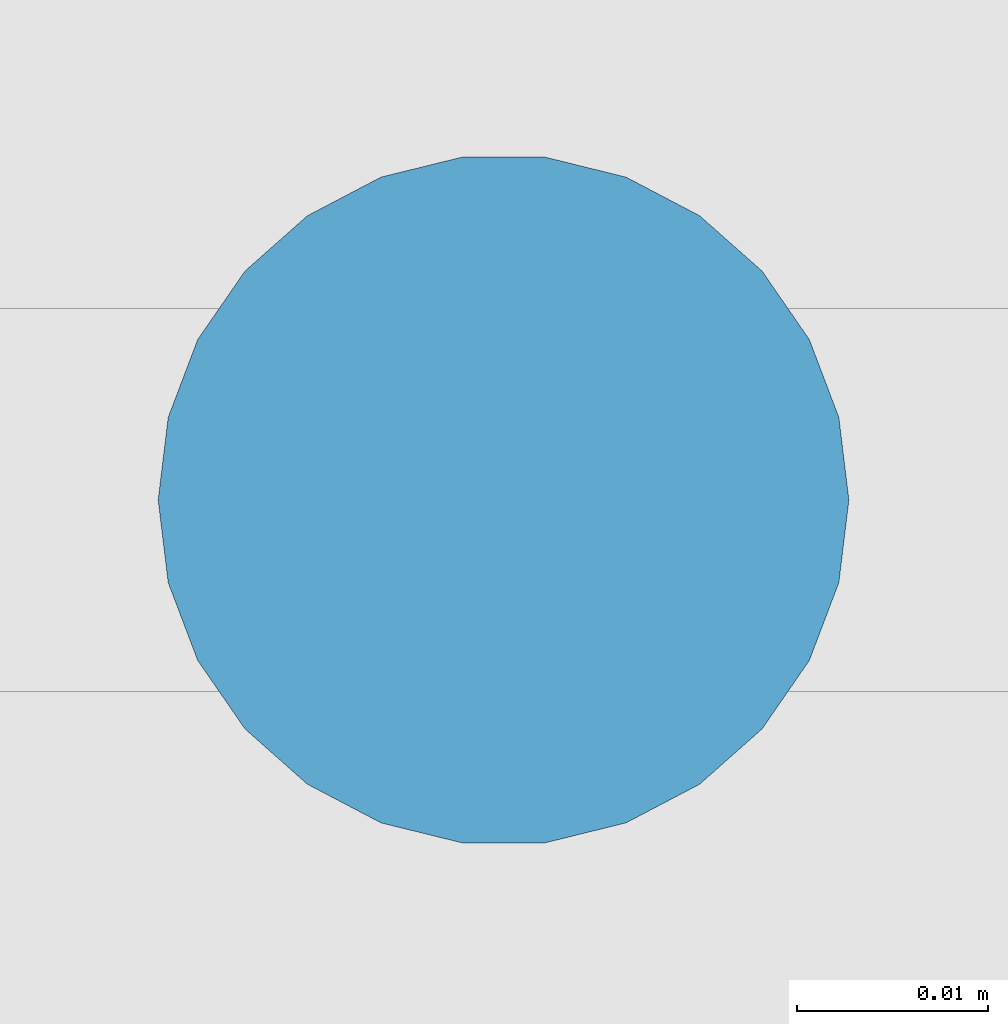
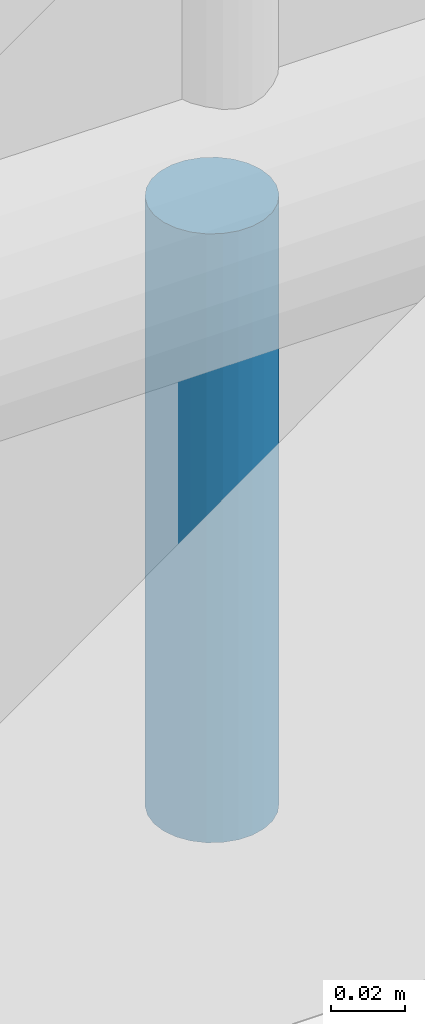
# One storey, part 234 of 321: 1 member.
"""IFC4 building model written with IfcOpenShell, lengths in metres."""

from ifc_helpers import new_model, si_unit, direction, frame, origin, origin_2d, place, context, subcontext, project, spatial, circle, extrude, material, material_profile, profile_set, type_object, element, save


model = new_model("IFC4")

# Units and contexts
model_context = context("Model", 3, precision=1e-05, world=origin(), true_north=direction((0.0, 1.0)))
body_context = subcontext(model_context, "Body", "Model", "MODEL_VIEW")
ifc_project = project(units=[si_unit("LENGTHUNIT", "METRE"), si_unit("AREAUNIT", "SQUARE_METRE"), si_unit("VOLUMEUNIT", "CUBIC_METRE"), si_unit("PLANEANGLEUNIT", "RADIAN"), si_unit("MASSUNIT", "GRAM", prefix="KILO")], contexts=[model_context])

# Site, building, storey
site_placement = place(None, origin())
site = spatial("IfcSite", under=ifc_project, at=site_placement, CompositionType="ELEMENT")
building_placement = place(site_placement, origin())
building = spatial("IfcBuilding", under=site, at=building_placement, Name="Ravi Spectrum Wholesale Market", CompositionType="ELEMENT")
storey_placement = place(building_placement, frame((0.0, 0.0, 10.800048828125)))
storey = spatial("IfcBuildingStorey", under=building, at=storey_placement, Name="L02", CompositionType="ELEMENT", Elevation=10.800048828125)

# Member
ifc_material = material(Name="Steel S355", Category="steel")
ifc_material_profile = material_profile(ifc_material, circle(Radius=0.01806640625, at=origin_2d()))
ifc_profile_set = profile_set([ifc_material_profile], Name="Steel S355")
member_type = type_object("IfcMemberType", Name="ROD 36 hanger", PredefinedType="STRUT", material=ifc_profile_set)
member_placement = place(storey_placement, frame((43.88427734375, 30.0, 0.0), z_axis=(0.0, 0.0, -1.0), x_axis=(1.0, 0.0, 0.0)))
element("IfcMember", 1, at=member_placement, inside=storey, type_object=member_type, Name="H1-MB-L02-1728", PredefinedType="STRUT", context=body_context, shape_type="SweptSolid", body=[
    extrude(circle(Radius=0.01806640625, at=origin_2d()), origin(), (0.0, 0.0, 1.0), 0.199951171875),
])

save(model, "model.ifc")
